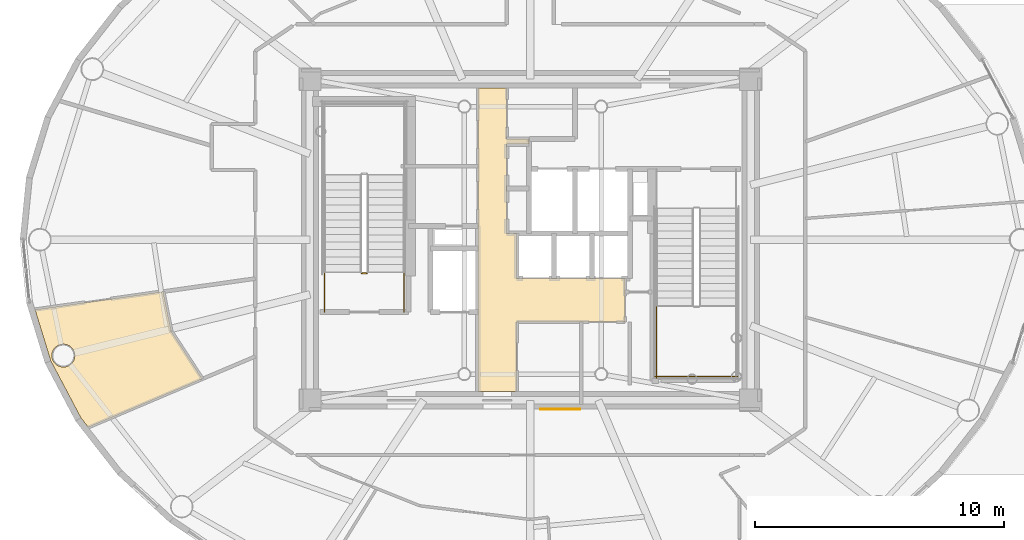
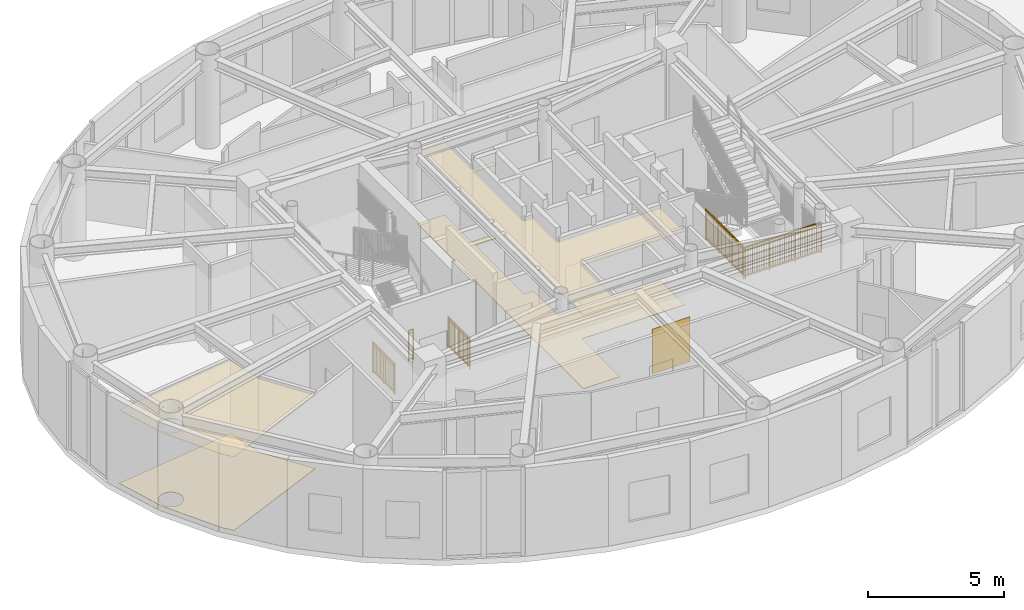
# One storey, part 19 of 24: 5 coverings, 5 railings.
"""IFC4 building model written with IfcOpenShell, lengths in metres."""

from ifc_helpers import new_model, si_unit, direction, frame, origin, origin_2d, place, context, subcontext, project, spatial, polyline, rectangle, outline, extrude, source, transform, mapped, material, layer, layer_set, type_object, element, save


model = new_model("IFC4")

# Units and contexts
model_context = context("Model", 3, precision=1e-05, world=origin(), true_north=direction((0.0, 1.0)))
body_context = subcontext(model_context, "Body", "Model", "MODEL_VIEW")
ifc_project = project(units=[si_unit("LENGTHUNIT", "METRE"), si_unit("AREAUNIT", "SQUARE_METRE"), si_unit("VOLUMEUNIT", "CUBIC_METRE"), si_unit("PLANEANGLEUNIT", "RADIAN"), si_unit("MASSUNIT", "GRAM", prefix="KILO")], contexts=[model_context])

# Site, building, storey
site_placement = place(None, origin())
site = spatial("IfcSite", under=ifc_project, at=site_placement, CompositionType="ELEMENT")
building_placement = place(site_placement, origin())
building = spatial("IfcBuilding", under=site, at=building_placement, Name="Linh Dai School and Residence Tower", CompositionType="ELEMENT")
storey_placement = place(building_placement, frame((0.0, 0.0, 355.199951171875)))
storey = spatial("IfcBuildingStorey", under=building, at=storey_placement, Name="L88", CompositionType="ELEMENT", Elevation=355.199951171875)

# Coverings
ifc_material_1 = material(Name="Mineral Fibre Acoustic Suspended Ceiling", Category="masonry")
ifc_layer_1 = layer(ifc_material_1, 0.02001953125)
ifc_layer_set_1 = layer_set([ifc_layer_1], Name="Mineral Fibre Acoustic Suspended Ceiling")
covering_type_1 = type_object("IfcCoveringType", Name="COV-CEIL-AC-20", PredefinedType="CEILING", material=ifc_layer_set_1)
covering_1_placement = place(storey_placement, frame((0.0, 0.0, 3.300048828125)))
element("IfcCovering", 1, at=covering_1_placement, inside=storey, type_object=covering_type_1, Name="L88 Passenger Lift Lobby Suspended Ceiling", PredefinedType="CEILING", context=body_context, shape_type="SweptSolid", body=[
    extrude(outline(polyline([(35.050048828125, 33.10009765625), (35.050048828125, 31.050048828125), (35.949951171875, 31.050048828125), (35.949951171875, 30.85009765625), (35.050048828125, 30.85009765625), (35.050048828125, 27.25), (35.449951171875, 27.25), (35.449951171875, 25.449951171875), (39.800048828125, 25.449951171875), (39.800048828125, 23.699951171875), (35.449951171875, 23.699951171875), (35.449951171875, 20.89990234375), (33.89990234375, 20.89990234375), (33.89990234375, 33.10009765625), (35.050048828125, 33.10009765625)])), origin(), (0.0, 0.0, 1.0), 0.02001953125),
])
covering_2_placement = place(storey_placement, frame((0.0, 0.0, 3.300048828125)))
element("IfcCovering", 2, at=covering_2_placement, inside=storey, type_object=covering_type_1, Name="L88 Amenity Tea Salon Suspended Ceiling", PredefinedType="CEILING", context=body_context, shape_type="SweptSolid", body=[
    extrude(outline(polyline([(16.104248046875, 24.189697265625), (21.251220703125, 24.916748046875), (21.572509765625, 23.32861328125), (22.822998046875, 21.40673828125), (18.24462890625, 19.46337890625), (17.94384765625, 19.847412109375), (16.734375, 22.134521484375), (16.104248046875, 24.189697265625)]), holes=[polyline([(17.6884765625, 22.46484375), (17.642333984375, 22.576416015625), (17.569091796875, 22.672119140625), (17.473388671875, 22.745361328125), (17.36181640625, 22.79150390625), (17.2421875, 22.807373046875), (17.122802734375, 22.79150390625), (17.01123046875, 22.745361328125), (16.91552734375, 22.672119140625), (16.84228515625, 22.576416015625), (16.7958984375, 22.46484375), (16.7802734375, 22.34521484375), (16.7958984375, 22.2255859375), (16.84228515625, 22.1142578125), (16.91552734375, 22.0185546875), (17.01123046875, 21.9453125), (17.122802734375, 21.89892578125), (17.2421875, 21.88330078125), (17.36181640625, 21.89892578125), (17.473388671875, 21.9453125), (17.569091796875, 22.0185546875), (17.642333984375, 22.1142578125), (17.6884765625, 22.2255859375), (17.704345703125, 22.34521484375), (17.6884765625, 22.46484375)])]), origin(), (0.0, 0.0, 1.0), 0.02001953125),
])
ifc_material_2 = material(Name="Polished Terrazzo Floor Finish", Category="masonry")
ifc_layer_2 = layer(ifc_material_2, 0.02490234375)
ifc_layer_set_2 = layer_set([ifc_layer_2], Name="Polished Terrazzo Floor Finish")
covering_type_2 = type_object("IfcCoveringType", Name="COV-FLR-TRZ-25", PredefinedType="FLOORING", material=ifc_layer_set_2)
covering_3_placement = place(storey_placement, origin())
element("IfcCovering", 3, at=covering_3_placement, inside=storey, type_object=covering_type_2, Name="L88 Passenger Lift Lobby Floor Finish", PredefinedType="FLOORING", context=body_context, shape_type="SweptSolid", body=[
    extrude(outline(polyline([(35.050048828125, 33.10009765625), (35.050048828125, 31.050048828125), (35.949951171875, 31.050048828125), (35.949951171875, 30.85009765625), (35.050048828125, 30.85009765625), (35.050048828125, 27.25), (35.449951171875, 27.25), (35.449951171875, 25.449951171875), (39.800048828125, 25.449951171875), (39.800048828125, 23.699951171875), (35.449951171875, 23.699951171875), (35.449951171875, 20.89990234375), (33.89990234375, 20.89990234375), (33.89990234375, 33.10009765625), (35.050048828125, 33.10009765625)])), origin(), (0.0, 0.0, 1.0), 0.02001953125),
])
covering_4_placement = place(storey_placement, origin())
element("IfcCovering", 4, at=covering_4_placement, inside=storey, type_object=covering_type_2, Name="L88 Amenity Tea Salon Floor Finish", PredefinedType="FLOORING", context=body_context, shape_type="SweptSolid", body=[
    extrude(outline(polyline([(16.104248046875, 24.189697265625), (21.251220703125, 24.916748046875), (21.572509765625, 23.32861328125), (22.822998046875, 21.40673828125), (18.24462890625, 19.46337890625), (17.94384765625, 19.847412109375), (16.734375, 22.134521484375), (16.104248046875, 24.189697265625)]), holes=[polyline([(17.6884765625, 22.46484375), (17.642333984375, 22.576416015625), (17.569091796875, 22.672119140625), (17.473388671875, 22.745361328125), (17.36181640625, 22.79150390625), (17.2421875, 22.807373046875), (17.122802734375, 22.79150390625), (17.01123046875, 22.745361328125), (16.91552734375, 22.672119140625), (16.84228515625, 22.576416015625), (16.7958984375, 22.46484375), (16.7802734375, 22.34521484375), (16.7958984375, 22.2255859375), (16.84228515625, 22.1142578125), (16.91552734375, 22.0185546875), (17.01123046875, 21.9453125), (17.122802734375, 21.89892578125), (17.2421875, 21.88330078125), (17.36181640625, 21.89892578125), (17.473388671875, 21.9453125), (17.569091796875, 22.0185546875), (17.642333984375, 22.1142578125), (17.6884765625, 22.2255859375), (17.704345703125, 22.34521484375), (17.6884765625, 22.46484375)])]), origin(), (0.0, 0.0, 1.0), 0.02001953125),
])

# Railings
ifc_material_3 = material(Name="Structural Steel S355JR", Category="steel")
railing_type = type_object("IfcRailingType", Name="RL-ST-GUARD-1400", PredefinedType="GUARDRAIL", material=ifc_material_3)
shared_shape_1 = source(origin(), body_context, "Body", "SweptSolid", [
    extrude(rectangle(XDim=0.048095703125, YDim=0.048095703125, at=origin_2d()), frame((0.0, 0.0, 1.3759765625), z_axis=(-1.0, 0.0, 0.0), x_axis=(0.0, -1.0, 0.0)), (0.0, 0.0, 1.0), 0.199951171875),
    extrude(rectangle(XDim=0.048095703125, YDim=0.048095703125, at=origin_2d()), frame((0.0, 0.0, 0.10009765625), z_axis=(-1.0, 0.0, 0.0), x_axis=(0.0, -1.0, 0.0)), (0.0, 0.0, 1.0), 0.199951171875),
    extrude(rectangle(XDim=0.030029296875, YDim=0.030029296875, at=origin_2d()), frame((0.0, 0.0, 1.239990234375), z_axis=(-1.0, 0.0, 0.0), x_axis=(0.0, -1.0, 0.0)), (0.0, 0.0, 1.0), 0.199951171875),
    extrude(rectangle(XDim=0.0419921875, YDim=0.0419921875, at=origin_2d()), origin(), (0.0, 0.0, 1.0), 1.3759765625),
    extrude(rectangle(XDim=0.0419921875, YDim=0.0419921875, at=origin_2d()), frame((-0.199951171875, 0.0, 0.0)), (0.0, 0.0, 1.0), 1.3759765625),
])
railing_1_placement = place(storey_placement, frame((29.429931640625, 25.64990234375, 0.0)))
element("IfcRailing", 5, at=railing_1_placement, inside=storey, type_object=railing_type, Name="L88 ST1 stair guard 7", PredefinedType="GUARDRAIL", context=body_context, shape_type="MappedRepresentation", body=[
    mapped(shared_shape_1, transform((0.0, 0.0, 0.0), x_axis=(1.0, 0.0, 0.0), y_axis=(0.0, 1.0, 0.0), z_axis=(0.0, 0.0, 1.0), scale=1.0)),
])
shared_shape_2 = source(origin(), body_context, "Body", "SweptSolid", [
    extrude(rectangle(XDim=0.048095703125, YDim=0.048095703125, at=origin_2d()), frame((0.0, 0.0, 1.3759765625), z_axis=(0.0, 1.0, 0.0), x_axis=(-1.0, 0.0, 0.0)), (0.0, 0.0, 1.0), 1.599853515625),
    extrude(rectangle(XDim=0.048095703125, YDim=0.048095703125, at=origin_2d()), frame((0.0, 0.0, 0.10009765625), z_axis=(0.0, 1.0, 0.0), x_axis=(-1.0, 0.0, 0.0)), (0.0, 0.0, 1.0), 1.599853515625),
    extrude(rectangle(XDim=0.030029296875, YDim=0.030029296875, at=origin_2d()), frame((0.0, 0.0, 1.239990234375), z_axis=(0.0, 1.0, 0.0), x_axis=(-1.0, 0.0, 0.0)), (0.0, 0.0, 1.0), 1.599853515625),
    extrude(rectangle(XDim=0.02001953125, YDim=0.02001953125, at=origin_2d()), frame((0.0, 0.093994140625, 0.10009765625)), (0.0, 0.0, 1.0), 1.251708984375),
    extrude(rectangle(XDim=0.02001953125, YDim=0.02001953125, at=origin_2d()), frame((0.0, 0.188232421875, 0.10009765625)), (0.0, 0.0, 1.0), 1.251708984375),
    extrude(rectangle(XDim=0.02001953125, YDim=0.02001953125, at=origin_2d()), frame((0.0, 0.2822265625, 0.10009765625)), (0.0, 0.0, 1.0), 1.251708984375),
    extrude(rectangle(XDim=0.02001953125, YDim=0.02001953125, at=origin_2d()), frame((0.0, 0.37646484375, 0.10009765625)), (0.0, 0.0, 1.0), 1.251708984375),
    extrude(rectangle(XDim=0.02001953125, YDim=0.02001953125, at=origin_2d()), frame((0.0, 0.470458984375, 0.10009765625)), (0.0, 0.0, 1.0), 1.251708984375),
    extrude(rectangle(XDim=0.02001953125, YDim=0.02001953125, at=origin_2d()), frame((0.0, 0.564697265625, 0.10009765625)), (0.0, 0.0, 1.0), 1.251708984375),
    extrude(rectangle(XDim=0.02001953125, YDim=0.02001953125, at=origin_2d()), frame((0.0, 0.65869140625, 0.10009765625)), (0.0, 0.0, 1.0), 1.251708984375),
    extrude(rectangle(XDim=0.02001953125, YDim=0.02001953125, at=origin_2d()), frame((0.0, 0.7529296875, 0.10009765625)), (0.0, 0.0, 1.0), 1.251708984375),
    extrude(rectangle(XDim=0.02001953125, YDim=0.02001953125, at=origin_2d()), frame((0.0, 0.846923828125, 0.10009765625)), (0.0, 0.0, 1.0), 1.251708984375),
    extrude(rectangle(XDim=0.02001953125, YDim=0.02001953125, at=origin_2d()), frame((0.0, 0.941162109375, 0.10009765625)), (0.0, 0.0, 1.0), 1.251708984375),
    extrude(rectangle(XDim=0.02001953125, YDim=0.02001953125, at=origin_2d()), frame((0.0, 1.03515625, 0.10009765625)), (0.0, 0.0, 1.0), 1.251708984375),
    extrude(rectangle(XDim=0.02001953125, YDim=0.02001953125, at=origin_2d()), frame((0.0, 1.12939453125, 0.10009765625)), (0.0, 0.0, 1.0), 1.251708984375),
    extrude(rectangle(XDim=0.02001953125, YDim=0.02001953125, at=origin_2d()), frame((0.0, 1.223388671875, 0.10009765625)), (0.0, 0.0, 1.0), 1.251708984375),
    extrude(rectangle(XDim=0.02001953125, YDim=0.02001953125, at=origin_2d()), frame((0.0, 1.317626953125, 0.10009765625)), (0.0, 0.0, 1.0), 1.251708984375),
    extrude(rectangle(XDim=0.02001953125, YDim=0.02001953125, at=origin_2d()), frame((0.0, 1.41162109375, 0.10009765625)), (0.0, 0.0, 1.0), 1.251708984375),
    extrude(rectangle(XDim=0.02001953125, YDim=0.02001953125, at=origin_2d()), frame((0.0, 1.505859375, 0.10009765625)), (0.0, 0.0, 1.0), 1.251708984375),
    extrude(rectangle(XDim=0.0419921875, YDim=0.0419921875, at=origin_2d()), origin(), (0.0, 0.0, 1.0), 1.3759765625),
    extrude(rectangle(XDim=0.0419921875, YDim=0.0419921875, at=origin_2d()), frame((0.0, 0.7998046875, 0.0)), (0.0, 0.0, 1.0), 1.3759765625),
    extrude(rectangle(XDim=0.0419921875, YDim=0.0419921875, at=origin_2d()), frame((0.0, 1.599853515625, 0.0)), (0.0, 0.0, 1.0), 1.3759765625),
])
for number, where, name in (
    (6, (30.929931640625, 24.10009765625, 0.0), "L88 ST1 stair guard 8"),
    (7, (27.72998046875, 24.10009765625, 0.0), "L88 ST1 stair guard 9"),
):
    element("IfcRailing", number, at=place(storey_placement, frame(where)), inside=storey, type_object=railing_type, Name=name, PredefinedType="GUARDRAIL", context=body_context, shape_type="MappedRepresentation", body=[
        mapped(shared_shape_2, transform((0.0, 0.0, 0.0), x_axis=(1.0, 0.0, 0.0), y_axis=(0.0, 1.0, 0.0), z_axis=(0.0, 0.0, 1.0), scale=1.0)),
    ])
shared_shape_3 = source(origin(), body_context, "Body", "SweptSolid", [
    extrude(rectangle(XDim=0.048095703125, YDim=0.048095703125, at=origin_2d()), frame((0.0, 0.0, 1.3759765625), z_axis=(1.0, 0.0, 0.0), x_axis=(0.0, 1.0, 0.0)), (0.0, 0.0, 1.0), 3.300048828125),
    extrude(rectangle(XDim=0.048095703125, YDim=0.048095703125, at=origin_2d()), frame((0.0, 0.0, 0.10009765625), z_axis=(1.0, 0.0, 0.0), x_axis=(0.0, 1.0, 0.0)), (0.0, 0.0, 1.0), 3.300048828125),
    extrude(rectangle(XDim=0.030029296875, YDim=0.030029296875, at=origin_2d()), frame((0.0, 0.0, 1.239990234375), z_axis=(1.0, 0.0, 0.0), x_axis=(0.0, 1.0, 0.0)), (0.0, 0.0, 1.0), 3.300048828125),
    extrude(rectangle(XDim=0.02001953125, YDim=0.02001953125, at=origin_2d()), frame((0.09716796875, 0.0, 0.10009765625)), (0.0, 0.0, 1.0), 1.251708984375),
    extrude(rectangle(XDim=0.02001953125, YDim=0.02001953125, at=origin_2d()), frame((0.194091796875, 0.0, 0.10009765625)), (0.0, 0.0, 1.0), 1.251708984375),
    extrude(rectangle(XDim=0.02001953125, YDim=0.02001953125, at=origin_2d()), frame((0.291259765625, 0.0, 0.10009765625)), (0.0, 0.0, 1.0), 1.251708984375),
    extrude(rectangle(XDim=0.02001953125, YDim=0.02001953125, at=origin_2d()), frame((0.38818359375, 0.0, 0.10009765625)), (0.0, 0.0, 1.0), 1.251708984375),
    extrude(rectangle(XDim=0.02001953125, YDim=0.02001953125, at=origin_2d()), frame((0.4853515625, 0.0, 0.10009765625)), (0.0, 0.0, 1.0), 1.251708984375),
    extrude(rectangle(XDim=0.02001953125, YDim=0.02001953125, at=origin_2d()), frame((0.582275390625, 0.0, 0.10009765625)), (0.0, 0.0, 1.0), 1.251708984375),
    extrude(rectangle(XDim=0.02001953125, YDim=0.02001953125, at=origin_2d()), frame((0.679443359375, 0.0, 0.10009765625)), (0.0, 0.0, 1.0), 1.251708984375),
    extrude(rectangle(XDim=0.02001953125, YDim=0.02001953125, at=origin_2d()), frame((0.7763671875, 0.0, 0.10009765625)), (0.0, 0.0, 1.0), 1.251708984375),
    extrude(rectangle(XDim=0.02001953125, YDim=0.02001953125, at=origin_2d()), frame((0.87353515625, 0.0, 0.10009765625)), (0.0, 0.0, 1.0), 1.251708984375),
    extrude(rectangle(XDim=0.02001953125, YDim=0.02001953125, at=origin_2d()), frame((0.970703125, 0.0, 0.10009765625)), (0.0, 0.0, 1.0), 1.251708984375),
    extrude(rectangle(XDim=0.02001953125, YDim=0.02001953125, at=origin_2d()), frame((1.164794921875, 0.0, 0.10009765625)), (0.0, 0.0, 1.0), 1.251708984375),
    extrude(rectangle(XDim=0.02001953125, YDim=0.02001953125, at=origin_2d()), frame((1.26171875, 0.0, 0.10009765625)), (0.0, 0.0, 1.0), 1.251708984375),
    extrude(rectangle(XDim=0.02001953125, YDim=0.02001953125, at=origin_2d()), frame((1.35888671875, 0.0, 0.10009765625)), (0.0, 0.0, 1.0), 1.251708984375),
    extrude(rectangle(XDim=0.02001953125, YDim=0.02001953125, at=origin_2d()), frame((1.455810546875, 0.0, 0.10009765625)), (0.0, 0.0, 1.0), 1.251708984375),
    extrude(rectangle(XDim=0.02001953125, YDim=0.02001953125, at=origin_2d()), frame((1.552978515625, 0.0, 0.10009765625)), (0.0, 0.0, 1.0), 1.251708984375),
    extrude(rectangle(XDim=0.02001953125, YDim=0.02001953125, at=origin_2d()), frame((1.64990234375, 0.0, 0.10009765625)), (0.0, 0.0, 1.0), 1.251708984375),
    extrude(rectangle(XDim=0.02001953125, YDim=0.02001953125, at=origin_2d()), frame((1.7470703125, 0.0, 0.10009765625)), (0.0, 0.0, 1.0), 1.251708984375),
    extrude(rectangle(XDim=0.02001953125, YDim=0.02001953125, at=origin_2d()), frame((1.84423828125, 0.0, 0.10009765625)), (0.0, 0.0, 1.0), 1.251708984375),
    extrude(rectangle(XDim=0.02001953125, YDim=0.02001953125, at=origin_2d()), frame((1.941162109375, 0.0, 0.10009765625)), (0.0, 0.0, 1.0), 1.251708984375),
    extrude(rectangle(XDim=0.02001953125, YDim=0.02001953125, at=origin_2d()), frame((2.038330078125, 0.0, 0.10009765625)), (0.0, 0.0, 1.0), 1.251708984375),
    extrude(rectangle(XDim=0.02001953125, YDim=0.02001953125, at=origin_2d()), frame((2.13525390625, 0.0, 0.10009765625)), (0.0, 0.0, 1.0), 1.251708984375),
    extrude(rectangle(XDim=0.02001953125, YDim=0.02001953125, at=origin_2d()), frame((2.329345703125, 0.0, 0.10009765625)), (0.0, 0.0, 1.0), 1.251708984375),
    extrude(rectangle(XDim=0.02001953125, YDim=0.02001953125, at=origin_2d()), frame((2.426513671875, 0.0, 0.10009765625)), (0.0, 0.0, 1.0), 1.251708984375),
    extrude(rectangle(XDim=0.02001953125, YDim=0.02001953125, at=origin_2d()), frame((2.523681640625, 0.0, 0.10009765625)), (0.0, 0.0, 1.0), 1.251708984375),
    extrude(rectangle(XDim=0.02001953125, YDim=0.02001953125, at=origin_2d()), frame((2.62060546875, 0.0, 0.10009765625)), (0.0, 0.0, 1.0), 1.251708984375),
    extrude(rectangle(XDim=0.02001953125, YDim=0.02001953125, at=origin_2d()), frame((2.7177734375, 0.0, 0.10009765625)), (0.0, 0.0, 1.0), 1.251708984375),
    extrude(rectangle(XDim=0.02001953125, YDim=0.02001953125, at=origin_2d()), frame((2.814697265625, 0.0, 0.10009765625)), (0.0, 0.0, 1.0), 1.251708984375),
    extrude(rectangle(XDim=0.02001953125, YDim=0.02001953125, at=origin_2d()), frame((2.911865234375, 0.0, 0.10009765625)), (0.0, 0.0, 1.0), 1.251708984375),
    extrude(rectangle(XDim=0.02001953125, YDim=0.02001953125, at=origin_2d()), frame((3.0087890625, 0.0, 0.10009765625)), (0.0, 0.0, 1.0), 1.251708984375),
    extrude(rectangle(XDim=0.02001953125, YDim=0.02001953125, at=origin_2d()), frame((3.10595703125, 0.0, 0.10009765625)), (0.0, 0.0, 1.0), 1.251708984375),
    extrude(rectangle(XDim=0.02001953125, YDim=0.02001953125, at=origin_2d()), frame((3.202880859375, 0.0, 0.10009765625)), (0.0, 0.0, 1.0), 1.251708984375),
    extrude(rectangle(XDim=0.0419921875, YDim=0.0419921875, at=origin_2d()), origin(), (0.0, 0.0, 1.0), 1.3759765625),
    extrude(rectangle(XDim=0.0419921875, YDim=0.0419921875, at=origin_2d()), frame((1.10009765625, 0.0, 0.0)), (0.0, 0.0, 1.0), 1.3759765625),
    extrude(rectangle(XDim=0.0419921875, YDim=0.0419921875, at=origin_2d()), frame((2.199951171875, 0.0, 0.0)), (0.0, 0.0, 1.0), 1.3759765625),
    extrude(rectangle(XDim=0.0419921875, YDim=0.0419921875, at=origin_2d()), frame((3.300048828125, 0.0, 0.0)), (0.0, 0.0, 1.0), 1.3759765625),
])
railing_2_placement = place(storey_placement, frame((41.02001953125, 21.5, 2.10009765625)))
element("IfcRailing", 8, at=railing_2_placement, inside=storey, type_object=railing_type, Name="L88 ST2 stair guard 5", PredefinedType="GUARDRAIL", context=body_context, shape_type="MappedRepresentation", body=[
    mapped(shared_shape_3, transform((0.0, 0.0, 0.0), x_axis=(1.0, 0.0, 0.0), y_axis=(0.0, 1.0, 0.0), z_axis=(0.0, 0.0, 1.0), scale=1.0)),
])
shared_shape_4 = source(origin(), body_context, "Body", "SweptSolid", [
    extrude(rectangle(XDim=0.048095703125, YDim=0.048095703125, at=origin_2d()), frame((0.0, 0.0, 1.3759765625), z_axis=(0.0, -1.0, 0.0), x_axis=(1.0, 0.0, 0.0)), (0.0, 0.0, 1.0), 2.900146484375),
    extrude(rectangle(XDim=0.048095703125, YDim=0.048095703125, at=origin_2d()), frame((0.0, 0.0, 0.10009765625), z_axis=(0.0, -1.0, 0.0), x_axis=(1.0, 0.0, 0.0)), (0.0, 0.0, 1.0), 2.900146484375),
    extrude(rectangle(XDim=0.030029296875, YDim=0.030029296875, at=origin_2d()), frame((0.0, 0.0, 1.239990234375), z_axis=(0.0, -1.0, 0.0), x_axis=(1.0, 0.0, 0.0)), (0.0, 0.0, 1.0), 2.900146484375),
    extrude(rectangle(XDim=0.02001953125, YDim=0.02001953125, at=origin_2d()), frame((0.0, -0.0966796875, 0.10009765625)), (0.0, 0.0, 1.0), 1.251708984375),
    extrude(rectangle(XDim=0.02001953125, YDim=0.02001953125, at=origin_2d()), frame((0.0, -0.193359375, 0.10009765625)), (0.0, 0.0, 1.0), 1.251708984375),
    extrude(rectangle(XDim=0.02001953125, YDim=0.02001953125, at=origin_2d()), frame((0.0, -0.2900390625, 0.10009765625)), (0.0, 0.0, 1.0), 1.251708984375),
    extrude(rectangle(XDim=0.02001953125, YDim=0.02001953125, at=origin_2d()), frame((0.0, -0.38671875, 0.10009765625)), (0.0, 0.0, 1.0), 1.251708984375),
    extrude(rectangle(XDim=0.02001953125, YDim=0.02001953125, at=origin_2d()), frame((0.0, -0.4833984375, 0.10009765625)), (0.0, 0.0, 1.0), 1.251708984375),
    extrude(rectangle(XDim=0.02001953125, YDim=0.02001953125, at=origin_2d()), frame((0.0, -0.580078125, 0.10009765625)), (0.0, 0.0, 1.0), 1.251708984375),
    extrude(rectangle(XDim=0.02001953125, YDim=0.02001953125, at=origin_2d()), frame((0.0, -0.6767578125, 0.10009765625)), (0.0, 0.0, 1.0), 1.251708984375),
    extrude(rectangle(XDim=0.02001953125, YDim=0.02001953125, at=origin_2d()), frame((0.0, -0.7734375, 0.10009765625)), (0.0, 0.0, 1.0), 1.251708984375),
    extrude(rectangle(XDim=0.02001953125, YDim=0.02001953125, at=origin_2d()), frame((0.0, -0.8701171875, 0.10009765625)), (0.0, 0.0, 1.0), 1.251708984375),
    extrude(rectangle(XDim=0.02001953125, YDim=0.02001953125, at=origin_2d()), frame((0.0, -1.0634765625, 0.10009765625)), (0.0, 0.0, 1.0), 1.251708984375),
    extrude(rectangle(XDim=0.02001953125, YDim=0.02001953125, at=origin_2d()), frame((0.0, -1.16015625, 0.10009765625)), (0.0, 0.0, 1.0), 1.251708984375),
    extrude(rectangle(XDim=0.02001953125, YDim=0.02001953125, at=origin_2d()), frame((0.0, -1.2568359375, 0.10009765625)), (0.0, 0.0, 1.0), 1.251708984375),
    extrude(rectangle(XDim=0.02001953125, YDim=0.02001953125, at=origin_2d()), frame((0.0, -1.353515625, 0.10009765625)), (0.0, 0.0, 1.0), 1.251708984375),
    extrude(rectangle(XDim=0.02001953125, YDim=0.02001953125, at=origin_2d()), frame((0.0, -1.4501953125, 0.10009765625)), (0.0, 0.0, 1.0), 1.251708984375),
    extrude(rectangle(XDim=0.02001953125, YDim=0.02001953125, at=origin_2d()), frame((0.0, -1.546630859375, 0.10009765625)), (0.0, 0.0, 1.0), 1.251708984375),
    extrude(rectangle(XDim=0.02001953125, YDim=0.02001953125, at=origin_2d()), frame((0.0, -1.643310546875, 0.10009765625)), (0.0, 0.0, 1.0), 1.251708984375),
    extrude(rectangle(XDim=0.02001953125, YDim=0.02001953125, at=origin_2d()), frame((0.0, -1.739990234375, 0.10009765625)), (0.0, 0.0, 1.0), 1.251708984375),
    extrude(rectangle(XDim=0.02001953125, YDim=0.02001953125, at=origin_2d()), frame((0.0, -1.836669921875, 0.10009765625)), (0.0, 0.0, 1.0), 1.251708984375),
    extrude(rectangle(XDim=0.02001953125, YDim=0.02001953125, at=origin_2d()), frame((0.0, -2.030029296875, 0.10009765625)), (0.0, 0.0, 1.0), 1.251708984375),
    extrude(rectangle(XDim=0.02001953125, YDim=0.02001953125, at=origin_2d()), frame((0.0, -2.126708984375, 0.10009765625)), (0.0, 0.0, 1.0), 1.251708984375),
    extrude(rectangle(XDim=0.02001953125, YDim=0.02001953125, at=origin_2d()), frame((0.0, -2.223388671875, 0.10009765625)), (0.0, 0.0, 1.0), 1.251708984375),
    extrude(rectangle(XDim=0.02001953125, YDim=0.02001953125, at=origin_2d()), frame((0.0, -2.320068359375, 0.10009765625)), (0.0, 0.0, 1.0), 1.251708984375),
    extrude(rectangle(XDim=0.02001953125, YDim=0.02001953125, at=origin_2d()), frame((0.0, -2.416748046875, 0.10009765625)), (0.0, 0.0, 1.0), 1.251708984375),
    extrude(rectangle(XDim=0.02001953125, YDim=0.02001953125, at=origin_2d()), frame((0.0, -2.513427734375, 0.10009765625)), (0.0, 0.0, 1.0), 1.251708984375),
    extrude(rectangle(XDim=0.02001953125, YDim=0.02001953125, at=origin_2d()), frame((0.0, -2.610107421875, 0.10009765625)), (0.0, 0.0, 1.0), 1.251708984375),
    extrude(rectangle(XDim=0.02001953125, YDim=0.02001953125, at=origin_2d()), frame((0.0, -2.706787109375, 0.10009765625)), (0.0, 0.0, 1.0), 1.251708984375),
    extrude(rectangle(XDim=0.02001953125, YDim=0.02001953125, at=origin_2d()), frame((0.0, -2.803466796875, 0.10009765625)), (0.0, 0.0, 1.0), 1.251708984375),
    extrude(rectangle(XDim=0.0419921875, YDim=0.0419921875, at=origin_2d()), origin(), (0.0, 0.0, 1.0), 1.3759765625),
    extrude(rectangle(XDim=0.0419921875, YDim=0.0419921875, at=origin_2d()), frame((0.0, -0.966796875, 0.0)), (0.0, 0.0, 1.0), 1.3759765625),
    extrude(rectangle(XDim=0.0419921875, YDim=0.0419921875, at=origin_2d()), frame((0.0, -1.933349609375, 0.0)), (0.0, 0.0, 1.0), 1.3759765625),
    extrude(rectangle(XDim=0.0419921875, YDim=0.0419921875, at=origin_2d()), frame((0.0, -2.900146484375, 0.0)), (0.0, 0.0, 1.0), 1.3759765625),
])
railing_3_placement = place(storey_placement, frame((41.070068359375, 24.35009765625, 2.10009765625)))
element("IfcRailing", 9, at=railing_3_placement, inside=storey, type_object=railing_type, Name="L88 ST2 stair guard 3", PredefinedType="GUARDRAIL", context=body_context, shape_type="MappedRepresentation", body=[
    mapped(shared_shape_4, transform((0.0, 0.0, 0.0), x_axis=(1.0, 0.0, 0.0), y_axis=(0.0, 1.0, 0.0), z_axis=(0.0, 0.0, 1.0), scale=1.0)),
])

# Covering
ifc_material_4 = material(Name="Glazed Terracotta Acoustic Feature Cladding", Category="masonry")
ifc_layer_3 = layer(ifc_material_4, 0.030029296875)
ifc_layer_set_3 = layer_set([ifc_layer_3], Name="Glazed Terracotta Acoustic Feature Cladding")
covering_type_3 = type_object("IfcCoveringType", Name="COV-CLAD-TC-30", PredefinedType="CLADDING", material=ifc_layer_set_3)
shared_shape_5 = source(origin(), body_context, "Body", "SweptSolid", [
    extrude(rectangle(XDim=1.60009765625, YDim=0.030029296875, at=origin_2d()), origin(), (0.0, 0.0, 1.0), 2.0),
])
covering_5_placement = place(storey_placement, frame((37.199951171875, 20.18505859375, 0.25), z_axis=(0.0, 0.0, 1.0), x_axis=(1.0, 0.0, 0.0)))
element("IfcCovering", 10, at=covering_5_placement, inside=storey, type_object=covering_type_3, Name="L88 Core Lobby Terracotta Feature Cladding", PredefinedType="CLADDING", context=body_context, shape_type="MappedRepresentation", body=[
    mapped(shared_shape_5, transform((0.0, 0.0, 0.0), x_axis=(1.0, 0.0, 0.0), y_axis=(0.0, 1.0, 0.0), z_axis=(0.0, 0.0, 1.0), scale=1.0)),
])

save(model, "model.ifc")
